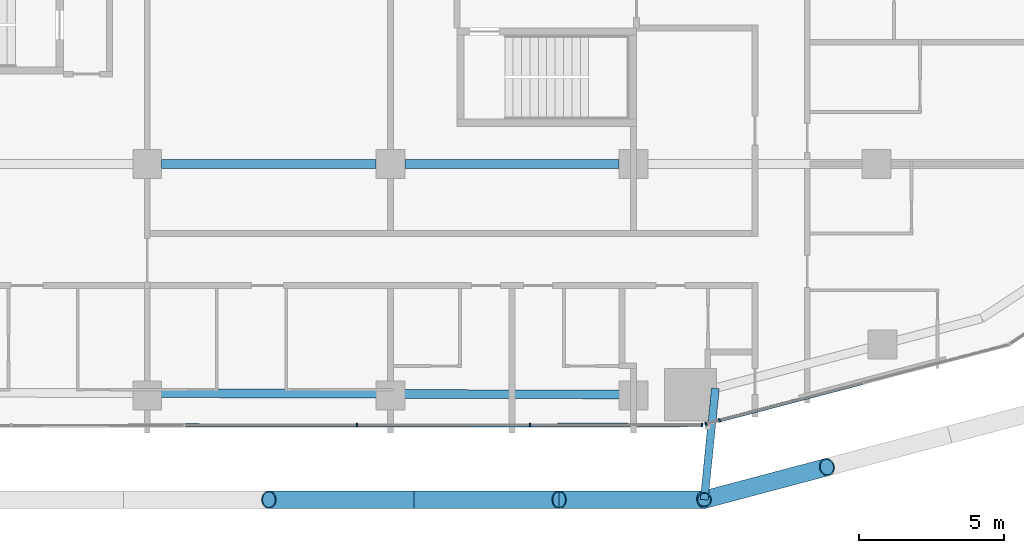
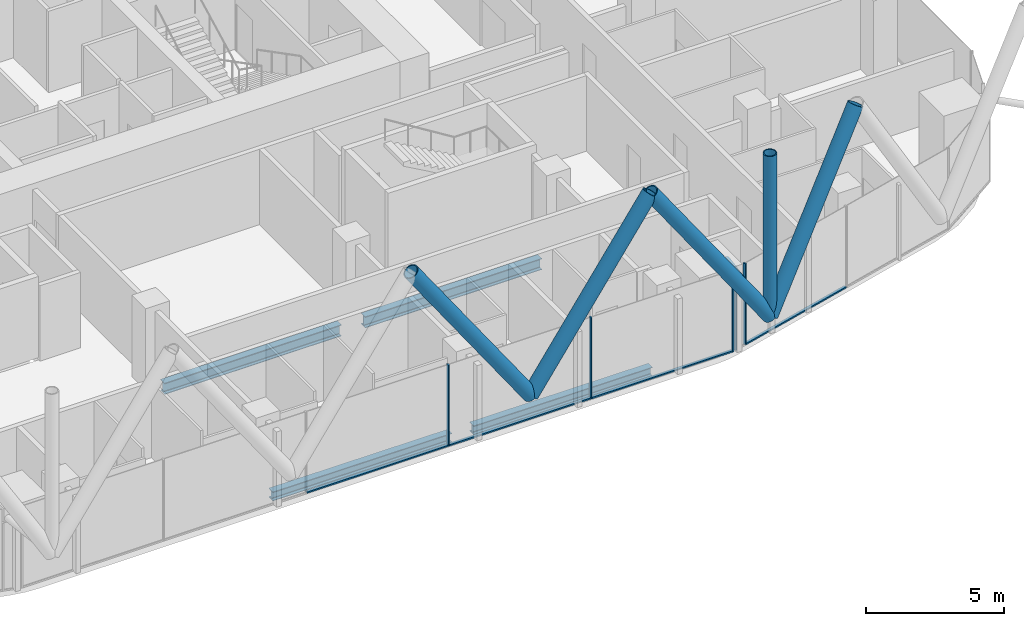
# One storey, part 5 of 34: 15 members, 4 beams, 3 elements without a shape of their own.
"""IFC4 building model written with IfcOpenShell, lengths in metres."""

import ifcopenshell
import ifcopenshell.guid

model = None  # the IFC model being written
_history = None  # IfcOwnerHistory: only IFC2X3 demands one
_inside = {}  # id of a spatial element -> (the spatial element, [elements in it])
_under = {}  # id of a project, library or spatial element -> (it, [spatial elements below it])
_declared = {}  # id of a project -> (the project, [libraries it declares])
_typed = {}  # id of a type object -> (the type object, [elements of that type])
_made_of = {}  # id of a material, layer set ... -> (it, [elements and type objects made of it])


def new_model(schema):
    """Start an empty IFC model of exactly this schema.

    Asked for "IFC4X3", IfcOpenShell would pick the latest addendum, in which some entities
    have other attributes; the version numbers below select the first issue.
    IFC2X3 requires an IfcOwnerHistory on every rooted entity: one is made here for all.
    """
    global model, _history
    if schema == "IFC4X3":
        model = ifcopenshell.file(schema_version=(4, 3, 0, 0))
    else:
        model = ifcopenshell.file(schema=schema)
    _inside.clear()
    _under.clear()
    _declared.clear()
    _typed.clear()
    _made_of.clear()
    _history = None
    if model.schema == "IFC2X3":
        org = make("IfcOrganization", Name="unknown")
        user = make(
            "IfcPersonAndOrganization",
            ThePerson=make("IfcPerson", FamilyName="unknown"),
            TheOrganization=org,
        )
        app = make(
            "IfcApplication",
            ApplicationDeveloper=org,
            Version="unknown",
            ApplicationFullName="unknown",
            ApplicationIdentifier="unknown",
        )
        _history = make(
            "IfcOwnerHistory",
            OwningUser=user,
            OwningApplication=app,
            ChangeAction="ADDED",
            CreationDate=0,
        )
    return model


def make(cls, **values):
    """One entity of the class cls with the attributes given. An attribute that is None is left unset."""
    return model.create_entity(
        cls, **{name: value for name, value in values.items() if value is not None}
    )


def rooted(cls, **values):
    """An entity with a GlobalId (a new one), such as an element, a storey or a relation."""
    return make(cls, GlobalId=ifcopenshell.guid.new(), OwnerHistory=_history, **values)


def si_unit(unit_type, name, prefix=None):
    """IfcSIUnit, for example si_unit("LENGTHUNIT", "METRE", prefix="MILLI")."""
    return make("IfcSIUnit", UnitType=unit_type, Prefix=prefix, Name=name)


def assignment(units):
    """IfcUnitAssignment: the units of a project."""
    return None if units is None else make("IfcUnitAssignment", Units=units)


def point(xyz):
    """IfcCartesianPoint."""
    return None if xyz is None else make("IfcCartesianPoint", Coordinates=xyz)


def direction(xyz):
    """IfcDirection."""
    return None if xyz is None else make("IfcDirection", DirectionRatios=xyz)


def frame(location, z_axis=None, x_axis=None):
    """IfcAxis2Placement3D, a coordinate frame: its origin and axes. An axis left out is left unset."""
    return make(
        "IfcAxis2Placement3D",
        Location=point(location),
        Axis=direction(z_axis),
        RefDirection=direction(x_axis),
    )


def frame_2d(location, x_axis=None):
    """IfcAxis2Placement2D, a coordinate frame in the plane: its origin and x axis."""
    return make(
        "IfcAxis2Placement2D", Location=point(location), RefDirection=direction(x_axis)
    )


def origin():
    """The frame at (0, 0, 0) with its axes left unset."""
    return frame((0.0, 0.0, 0.0))


def origin_2d():
    """The frame at (0, 0) in the plane with its x axis left unset."""
    return frame_2d((0.0, 0.0))


def place(relative_to, where):
    """IfcLocalPlacement: puts the frame where relative to a parent placement (None: the world)."""
    return make(
        "IfcLocalPlacement", PlacementRelTo=relative_to, RelativePlacement=where
    )


def context(
    kind, dimensions, precision=None, world=None, true_north=None, identifier=None
):
    """IfcGeometricRepresentationContext, for example the 3D "Model" context."""
    return make(
        "IfcGeometricRepresentationContext",
        ContextIdentifier=identifier,
        ContextType=kind,
        CoordinateSpaceDimension=dimensions,
        Precision=precision,
        WorldCoordinateSystem=world,
        TrueNorth=true_north,
    )


def subcontext(parent, identifier, kind, view, scale=None):
    """IfcGeometricRepresentationSubContext, for example "Body" below "Model"."""
    return make(
        "IfcGeometricRepresentationSubContext",
        ContextIdentifier=identifier,
        ContextType=kind,
        ParentContext=parent,
        TargetScale=scale,
        TargetView=view,
    )


def project(units=None, contexts=None):
    """IfcProject with its units and contexts."""
    return rooted(
        "IfcProject",
        Name="project",
        RepresentationContexts=contexts,
        UnitsInContext=assignment(units),
    )


def spatial(cls, under=None, at=None, **own):
    """A site, building, storey or space (cls), placed at a placement, below another one or the project."""
    s = rooted(cls, ObjectPlacement=at, **own)
    if under is not None:
        _under.setdefault(under.id(), (under, []))[1].append(s)
    return s


def profile(cls, at=None, kind="AREA", **sizes):
    """A parametric profile (cls). Its sizes go by their IFC names, for example OverallWidth=200.0."""
    return make(cls, ProfileType=kind, Position=at, **sizes)


def rectangle(**sizes):
    """IfcRectangleProfileDef."""
    return profile("IfcRectangleProfileDef", **sizes)


def hollow_circle(**sizes):
    """IfcCircleHollowProfileDef."""
    return profile("IfcCircleHollowProfileDef", **sizes)


def i_section(**sizes):
    """IfcIShapeProfileDef."""
    return profile("IfcIShapeProfileDef", **sizes)


def extrude(swept, where, along, depth):
    """IfcExtrudedAreaSolid: the profile swept, set in the frame where, extruded along a direction by depth."""
    return make(
        "IfcExtrudedAreaSolid",
        SweptArea=swept,
        Position=where,
        ExtrudedDirection=direction(along),
        Depth=depth,
    )


def shape(context_of_items, identifier, shape_type, items):
    """IfcShapeRepresentation: the items that make up one representation, for example the "Body"."""
    return make(
        "IfcShapeRepresentation",
        ContextOfItems=context_of_items,
        RepresentationIdentifier=identifier,
        RepresentationType=shape_type,
        Items=items,
    )


def material(Name=None, Category=None):
    """IfcMaterial."""
    return make("IfcMaterial", Name=Name, Category=Category)


def layer(
    of_material, thickness, ventilated=None, Name=None, Category=None, Priority=None
):
    """IfcMaterialLayer: one layer of a wall or slab, of a material (None: an air gap)."""
    return make(
        "IfcMaterialLayer",
        Material=of_material,
        LayerThickness=thickness,
        IsVentilated=ventilated,
        Name=Name,
        Category=Category,
        Priority=Priority,
    )


def layer_set(layers, Name=None):
    """IfcMaterialLayerSet."""
    return make("IfcMaterialLayerSet", MaterialLayers=layers, LayerSetName=Name)


def material_profile(
    of_material, cross_section, Name=None, Category=None, Priority=None
):
    """IfcMaterialProfile: a cross section and its material."""
    return make(
        "IfcMaterialProfile",
        Name=Name,
        Material=of_material,
        Profile=cross_section,
        Priority=Priority,
        Category=Category,
    )


def profile_set(profiles, Name=None, composite=None):
    """IfcMaterialProfileSet."""
    return make(
        "IfcMaterialProfileSet",
        Name=Name,
        MaterialProfiles=profiles,
        CompositeProfile=composite,
    )


def made_of(thing, what):
    """Note that an element or type object is made of a material, layer set ...; save() writes the relation."""
    if what is not None:
        _made_of.setdefault(what.id(), (what, []))[1].append(thing)
    return thing


def type_object(cls, material=None, **own):
    """A type object (cls), such as IfcWallType, which elements share."""
    return made_of(rooted(cls, **own), material)


def element(
    cls,
    number,
    at=None,
    inside=None,
    cuts=None,
    type_object=None,
    material=None,
    context=None,
    identifier="Body",
    shape_type=None,
    held_by="IfcProductDefinitionShape",
    body=None,
    shapes=None,
    **own,
):
    """One element of the class cls, such as IfcWall. Its Tag is "e" and its number.

    at: its placement. inside: the storey or other place that contains it. cuts: it is an
    opening in that element (IfcRelVoidsElement). A single representation is given by context,
    identifier, shape_type and body (its items); several are given by shapes. held_by: the class
    of the entity that holds the representations. save() writes the other relations.
    """
    e = rooted(cls, Tag="e%d" % number, ObjectPlacement=at, **own)
    if body is not None:
        shapes = [shape(context, identifier, shape_type, body)]
    if shapes is not None:
        e.Representation = make(held_by, Representations=shapes)
    if inside is not None:
        _inside.setdefault(inside.id(), (inside, []))[1].append(e)
    if cuts is not None:
        rooted(
            "IfcRelVoidsElement", RelatingBuildingElement=cuts, RelatedOpeningElement=e
        )
    if type_object is not None:
        _typed.setdefault(type_object.id(), (type_object, []))[1].append(e)
    return made_of(e, material)


def aggregate(whole, parts):
    """IfcRelAggregates: a whole, such as a stair, and the parts it consists of."""
    return rooted("IfcRelAggregates", RelatingObject=whole, RelatedObjects=parts)


def save(model, path):
    """Write the relations noted so far, then the file.

    IfcRelAggregates (storeys below a building ...), IfcRelContainedInSpatialStructure (elements
    in a storey), IfcRelDefinesByType, IfcRelAssociatesMaterial and IfcRelDeclares: one each for
    every whole, place, type object, material and project.
    """
    for whole, parts in _under.values():
        aggregate(whole, parts)
    for where, things in _inside.values():
        rooted(
            "IfcRelContainedInSpatialStructure",
            RelatedElements=things,
            RelatingStructure=where,
        )
    for kind, things in _typed.values():
        rooted("IfcRelDefinesByType", RelatedObjects=things, RelatingType=kind)
    for what, things in _made_of.values():
        rooted("IfcRelAssociatesMaterial", RelatedObjects=things, RelatingMaterial=what)
    for by, libraries in _declared.values():
        rooted("IfcRelDeclares", RelatingContext=by, RelatedDefinitions=libraries)
    model.write(path)


model = new_model("IFC4")

# Units and contexts
model_context = context("Model", 3, precision=1e-05, world=origin(), true_north=direction((0.0, 1.0)))
body_context = subcontext(model_context, "Body", "Model", "MODEL_VIEW")
ifc_project = project(units=[si_unit("LENGTHUNIT", "METRE"), si_unit("AREAUNIT", "SQUARE_METRE"), si_unit("VOLUMEUNIT", "CUBIC_METRE"), si_unit("PLANEANGLEUNIT", "RADIAN"), si_unit("MASSUNIT", "GRAM", prefix="KILO")], contexts=[model_context])

# Site, building, storey
site_placement = place(None, origin())
site = spatial("IfcSite", under=ifc_project, at=site_placement, CompositionType="ELEMENT")
building_placement = place(site_placement, origin())
building = spatial("IfcBuilding", under=site, at=building_placement, Name="Marenta Gate Hotel Tower", CompositionType="ELEMENT")
storey_placement = place(building_placement, frame((0.0, 0.0, 76.10009765625)))
storey = spatial("IfcBuildingStorey", under=building, at=storey_placement, Name="L17", CompositionType="ELEMENT", Elevation=76.10009765625)

# Members
ifc_material_1 = material(Name="Steel S355J2W", Category="steel")
ifc_material_profile_1 = material_profile(ifc_material_1, hollow_circle(Radius=0.25390625, WallThickness=0.0400390625, at=origin_2d()), Name="CHS 508x40")
ifc_profile_set_1 = profile_set([ifc_material_profile_1], Name="Steel S355J2W")
member_type_1 = type_object("IfcMemberType", Name="Diagrid corner post Z1 CHS 508x40", PredefinedType="POST", material=ifc_profile_set_1)
member_1_placement = place(storey_placement, frame((15.0390625, -20.0, 3.139892578125), z_axis=(0.0, 0.0, 1.0), x_axis=(1.0, 0.0, 0.0)))
element("IfcMember", 1, at=member_1_placement, inside=storey, type_object=member_type_1, Name="L17-DR-3", PredefinedType="POST", context=body_context, shape_type="SweptSolid", body=[
    extrude(hollow_circle(Radius=0.25390625, WallThickness=0.0400390625, at=origin_2d()), origin(), (0.0, 0.0, 1.0), 7.199951171875),
])
ifc_material_2 = material(Name="Steel S355J2W", Category="steel")
ifc_material_profile_2 = material_profile(ifc_material_2, hollow_circle(Radius=0.304931640625, WallThickness=0.0400390625, at=origin_2d()), Name="CHS 610x40")
ifc_profile_set_2 = profile_set([ifc_material_profile_2], Name="Steel S355J2W")
member_type_2 = type_object("IfcMemberType", Name="Diagrid diagonal Z1 CHS 610x40", PredefinedType="BRACE", material=ifc_profile_set_2)
member_2_placement = place(storey_placement, frame((15.0390625, -20.0, 3.139892578125), z_axis=(0.502924018666, 0.133433548941, 0.853968921838), x_axis=(-0.256443187528, 0.96655930577, 0.0)))
element("IfcMember", 2, at=member_2_placement, inside=storey, type_object=member_type_2, Name="L17-DG-14", PredefinedType="BRACE", context=body_context, shape_type="SweptSolid", body=[
    extrude(hollow_circle(Radius=0.304931640625, WallThickness=0.0400390625, at=origin_2d()), origin(), (0.0, 0.0, 1.0), 8.43115234375),
])
member_3_placement = place(storey_placement, frame((15.0390625, -20.0, 3.139892578125), z_axis=(-0.571411767966, 0.0, 0.820663506822), x_axis=(0.0, -1.0, 0.0)))
element("IfcMember", 3, at=member_3_placement, inside=storey, type_object=member_type_2, Name="L17-DG-15", PredefinedType="BRACE", context=body_context, shape_type="SweptSolid", body=[
    extrude(hollow_circle(Radius=0.304931640625, WallThickness=0.0400390625, at=origin_2d()), origin(), (0.0, 0.0, 1.0), 8.7734375),
])
for number, where, z_axis, x_axis, name in (
    (4, (5.012939453125, -20.0, 3.139892578125), (0.571393025954, 0.0, 0.820676556197), (0.0, 1.0, 0.0), "L17-DG-16"),
    (5, (5.012939453125, -20.0, 3.139892578125), (-0.571393025954, 0.0, 0.820676556197), (0.0, -1.0, 0.0), "L17-DG-17"),
):
    element("IfcMember", number, at=place(storey_placement, frame(where, z_axis=z_axis, x_axis=x_axis)), inside=storey, type_object=member_type_2, Name=name, PredefinedType="BRACE", context=body_context, shape_type="SweptSolid", body=[
        extrude(hollow_circle(Radius=0.304931640625, WallThickness=0.0400390625, at=origin_2d()), origin(), (0.0, 0.0, 1.0), 8.773193359375),
    ])

# Beams
ifc_material_3 = material(Name="Steel S355", Category="steel")
ifc_material_profile_3 = material_profile(ifc_material_3, i_section(OverallWidth=0.300048828125, OverallDepth=0.39990234375, WebThickness=0.013427734375, FlangeThickness=0.02392578125, FilletRadius=0.027099609375, at=origin_2d()), Name="HEB 400")
ifc_profile_set_3 = profile_set([ifc_material_profile_3], Name="Steel S355")
beam_type_1 = type_object("IfcBeamType", Name="Edge beam HEB 400", PredefinedType="SPANDREL", material=ifc_profile_set_3)
for number, where, z_axis, x_axis, name in (
    (6, (12.139892578125, -16.365966796875, -0.460205078125), (-0.99999624158, 0.002741683018, 0.0), (-0.002741683018, -0.99999624158, 0.0), "L17-EB-32"),
    (7, (3.739990234375, -16.3427734375, -0.460205078125), (-0.99999624158, 0.002741683018, 0.0), (-0.002741683018, -0.99999624158, 0.0), "L17-EB-33"),
):
    element("IfcBeam", number, at=place(storey_placement, frame(where, z_axis=z_axis, x_axis=x_axis)), inside=storey, type_object=beam_type_1, Name=name, PredefinedType="SPANDREL", context=body_context, shape_type="SweptSolid", body=[
        extrude(i_section(OverallWidth=0.300048828125, OverallDepth=0.39990234375, WebThickness=0.013427734375, FlangeThickness=0.02392578125, FilletRadius=0.027099609375, at=origin_2d()), origin(), (0.0, 0.0, 1.0), 7.47998046875),
    ])

# Member
ifc_material_4 = material(Name="Steel S355J2W", Category="steel")
ifc_material_profile_4 = material_profile(ifc_material_4, hollow_circle(Radius=0.136474609375, WallThickness=0.012451171875, at=origin_2d()), Name="CHS 273x12.5")
ifc_profile_set_4 = profile_set([ifc_material_profile_4], Name="Steel S355J2W")
member_type_3 = type_object("IfcMemberType", Name="Floor tie CHS 273x12.5", PredefinedType="STRUT", material=ifc_profile_set_4)
member_4_placement = place(storey_placement, frame((15.0390625, -20.0, 3.139892578125), z_axis=(0.100354093407, 0.994951785735, 0.0), x_axis=(-0.994951785735, 0.100354093407, 0.0)))
element("IfcMember", 8, at=member_4_placement, inside=storey, type_object=member_type_3, Name="L17-DR-9", PredefinedType="STRUT", context=body_context, shape_type="SweptSolid", body=[
    extrude(hollow_circle(Radius=0.136474609375, WallThickness=0.012451171875, at=origin_2d()), origin(), (0.0, 0.0, 1.0), 3.86572265625),
])

# Beams
ifc_material_5 = material(Name="Steel S355", Category="steel")
ifc_material_profile_5 = material_profile(ifc_material_5, i_section(OverallWidth=0.300048828125, OverallDepth=0.5, WebThickness=0.014404296875, FlangeThickness=0.028076171875, FilletRadius=0.027099609375, at=origin_2d()), Name="HEB 500")
ifc_profile_set_5 = profile_set([ifc_material_profile_5], Name="Steel S355")
beam_type_2 = type_object("IfcBeamType", Name="Girder HEB 500", PredefinedType="BEAM", material=ifc_profile_set_5)
beam_1_placement = place(storey_placement, frame((-3.699951171875, -8.39990234375, -0.510009765625), z_axis=(1.0, 0.0, 0.0), x_axis=(0.0, 1.0, 0.0)))
element("IfcBeam", 9, at=beam_1_placement, inside=storey, type_object=beam_type_2, Name="L17-GD-4", PredefinedType="BEAM", context=body_context, shape_type="SweptSolid", body=[
    extrude(i_section(OverallWidth=0.300048828125, OverallDepth=0.5, WebThickness=0.014404296875, FlangeThickness=0.028076171875, FilletRadius=0.027099609375, at=origin_2d()), origin(), (0.0, 0.0, 1.0), 7.39990234375),
])
beam_2_placement = place(storey_placement, frame((4.699951171875, -8.39990234375, -0.510009765625), z_axis=(1.0, 0.0, 0.0), x_axis=(0.0, 1.0, 0.0)))
element("IfcBeam", 10, at=beam_2_placement, inside=storey, type_object=beam_type_2, Name="L17-GD-5", PredefinedType="BEAM", context=body_context, shape_type="SweptSolid", body=[
    extrude(i_section(OverallWidth=0.300048828125, OverallDepth=0.5, WebThickness=0.014404296875, FlangeThickness=0.028076171875, FilletRadius=0.027099609375, at=origin_2d()), origin(), (0.0, 0.0, 1.0), 7.400146484375),
])

# Curtain wall, members
ifc_material_6 = material(Name="Tinted insulated glass in bronze anodised frame", Category="glass")
ifc_layer = layer(ifc_material_6, 0.1201171875)
ifc_layer_set = layer_set([ifc_layer], Name="Tinted insulated glass in bronze anodised frame")
curtain_wall_type = type_object("IfcCurtainWallType", Name="Tower unitised curtain wall CW1", PredefinedType="NOTDEFINED", material=ifc_layer_set)
curtain_wall_1_placement = place(storey_placement, origin())
curtain_wall_1 = element("IfcCurtainWall", 11, at=curtain_wall_1_placement, inside=storey, type_object=curtain_wall_type, Name="CW1 run G11", PredefinedType="NOTDEFINED")
ifc_material_7 = material(Name="Bronze anodised aluminium", Category="aluminium")
ifc_material_profile_6 = material_profile(ifc_material_7, rectangle(XDim=0.1201171875, YDim=0.06005859375, at=origin_2d()), Name="Mullion CW1 60x120 bronze anodised aluminium")
ifc_profile_set_6 = profile_set([ifc_material_profile_6], Name="Bronze anodised aluminium")
member_type_4 = type_object("IfcMemberType", Name="Mullion CW1 60x120 bronze anodised aluminium", PredefinedType="MULLION", material=ifc_profile_set_6)
member_5_placement = place(storey_placement, frame((3.048095703125, -17.427001953125, 0.0), z_axis=(0.0, 0.0, 1.0), x_axis=(-0.001161921639, 0.999999324969, 0.0)))
member_5 = element("IfcMember", 12, at=member_5_placement, type_object=member_type_4, Name="CW1 mullion 4", PredefinedType="MULLION", context=body_context, shape_type="SweptSolid", body=[
    extrude(rectangle(XDim=0.1201171875, YDim=0.06005859375, at=origin_2d()), origin(), (0.0, 0.0, 1.0), 3.599853515625),
])
member_6_placement = place(storey_placement, frame((9.020751953125, -17.419921875, 0.0), z_axis=(0.0, 0.0, 1.0), x_axis=(-0.001161921639, 0.999999324969, 0.0)))
member_6 = element("IfcMember", 13, at=member_6_placement, type_object=member_type_4, Name="CW1 mullion 5", PredefinedType="MULLION", context=body_context, shape_type="SweptSolid", body=[
    extrude(rectangle(XDim=0.1201171875, YDim=0.06005859375, at=origin_2d()), origin(), (0.0, 0.0, 1.0), 3.599853515625),
])
member_7_placement = place(storey_placement, frame((14.963623046875, -17.4130859375, 0.0), z_axis=(0.0, 0.0, 1.0), x_axis=(-0.001161921639, 0.999999324969, 0.0)))
member_7 = element("IfcMember", 14, at=member_7_placement, type_object=member_type_4, Name="CW1 mullion 6", PredefinedType="MULLION", context=body_context, shape_type="SweptSolid", body=[
    extrude(rectangle(XDim=0.1201171875, YDim=0.06005859375, at=origin_2d()), origin(), (0.0, 0.0, 1.0), 3.599853515625),
])

# Curtain wall, member
curtain_wall_2_placement = place(storey_placement, origin())
curtain_wall_2 = element("IfcCurtainWall", 15, at=curtain_wall_2_placement, inside=storey, type_object=curtain_wall_type, Name="CW1 run G12", PredefinedType="NOTDEFINED")
member_8_placement = place(storey_placement, frame((15.103515625, -17.38427734375, 0.0), z_axis=(0.0, 0.0, 1.0), x_axis=(-0.25342392363, 0.967355319897, 0.0)))
member_8 = element("IfcMember", 16, at=member_8_placement, type_object=member_type_4, Name="CW1 mullion 1", PredefinedType="MULLION", context=body_context, shape_type="SweptSolid", body=[
    extrude(rectangle(XDim=0.1201171875, YDim=0.06005859375, at=origin_2d()), origin(), (0.0, 0.0, 1.0), 3.00048828125),
])
aggregate(curtain_wall_2, [member_8])

curtain_wall_3_placement = place(storey_placement, origin())
curtain_wall_3 = element("IfcCurtainWall", 17, at=curtain_wall_3_placement, inside=storey, type_object=curtain_wall_type, Name="CW1 run G13", PredefinedType="NOTDEFINED")
member_9_placement = place(storey_placement, frame((15.571044921875, -17.26171875, 0.0), z_axis=(0.0, 0.0, 1.0), x_axis=(-0.253363691666, 0.967371097224, 0.0)))
member_9 = element("IfcMember", 18, at=member_9_placement, type_object=member_type_4, Name="CW1 mullion 1", PredefinedType="MULLION", context=body_context, shape_type="SweptSolid", body=[
    extrude(rectangle(XDim=0.1201171875, YDim=0.06005859375, at=origin_2d()), origin(), (0.0, 0.0, 1.0), 3.599853515625),
])

# Member
ifc_material_8 = material(Name="Bronze anodised aluminium", Category="aluminium")
ifc_material_profile_7 = material_profile(ifc_material_8, rectangle(XDim=0.1201171875, YDim=0.06005859375, at=origin_2d()), Name="Transom CW1 60x120 bronze anodised aluminium")
ifc_profile_set_7 = profile_set([ifc_material_profile_7], Name="Bronze anodised aluminium")
member_type_5 = type_object("IfcMemberType", Name="Transom CW1 60x120 bronze anodised aluminium", PredefinedType="USERDEFINED", material=ifc_profile_set_7)
member_10_placement = place(storey_placement, frame((-2.894775390625, -17.433837890625, 0.02978515625), z_axis=(0.999999331697, 0.001156116326, 0.0), x_axis=(-0.001156116326, 0.999999331697, 0.0)))
member_10 = element("IfcMember", 19, at=member_10_placement, type_object=member_type_5, Name="CW1 transom 3.1", ObjectType="TRANSOM", PredefinedType="USERDEFINED", context=body_context, shape_type="SweptSolid", body=[
    extrude(rectangle(XDim=0.1201171875, YDim=0.06005859375, at=origin_2d()), origin(), (0.0, 0.0, 1.0), 5.912841796875),
])

member_11_placement = place(storey_placement, frame((3.077880859375, -17.427001953125, 0.02978515625), z_axis=(0.999999331697, 0.001156116326, 0.0), x_axis=(-0.001156116326, 0.999999331697, 0.0)))
member_11 = element("IfcMember", 20, at=member_11_placement, type_object=member_type_5, Name="CW1 transom 4.1", ObjectType="TRANSOM", PredefinedType="USERDEFINED", context=body_context, shape_type="SweptSolid", body=[
    extrude(rectangle(XDim=0.1201171875, YDim=0.06005859375, at=origin_2d()), origin(), (0.0, 0.0, 1.0), 5.912841796875),
])

member_12_placement = place(storey_placement, frame((9.05078125, -17.419921875, 0.02978515625), z_axis=(0.999999324857, 0.001162017808, 0.0), x_axis=(-0.001162017808, 0.999999324857, 0.0)))
member_12 = element("IfcMember", 21, at=member_12_placement, type_object=member_type_5, Name="CW1 transom 5.1", ObjectType="TRANSOM", PredefinedType="USERDEFINED", context=body_context, shape_type="SweptSolid", body=[
    extrude(rectangle(XDim=0.1201171875, YDim=0.06005859375, at=origin_2d()), origin(), (0.0, 0.0, 1.0), 5.8828125),
])

aggregate(curtain_wall_1, [member_5, member_6, member_7, member_10, member_11, member_12])

member_13_placement = place(storey_placement, frame((15.60009765625, -17.254150390625, 0.02978515625), z_axis=(0.967374461707, 0.253350845344, 0.0), x_axis=(-0.253350845344, 0.967374461707, 0.0)))
member_13 = element("IfcMember", 22, at=member_13_placement, type_object=member_type_5, Name="CW1 transom 1.1", ObjectType="TRANSOM", PredefinedType="USERDEFINED", context=body_context, shape_type="SweptSolid", body=[
    extrude(rectangle(XDim=0.1201171875, YDim=0.06005859375, at=origin_2d()), origin(), (0.0, 0.0, 1.0), 5.091796875),
])

aggregate(curtain_wall_3, [member_9, member_13])

save(model, "model.ifc")
